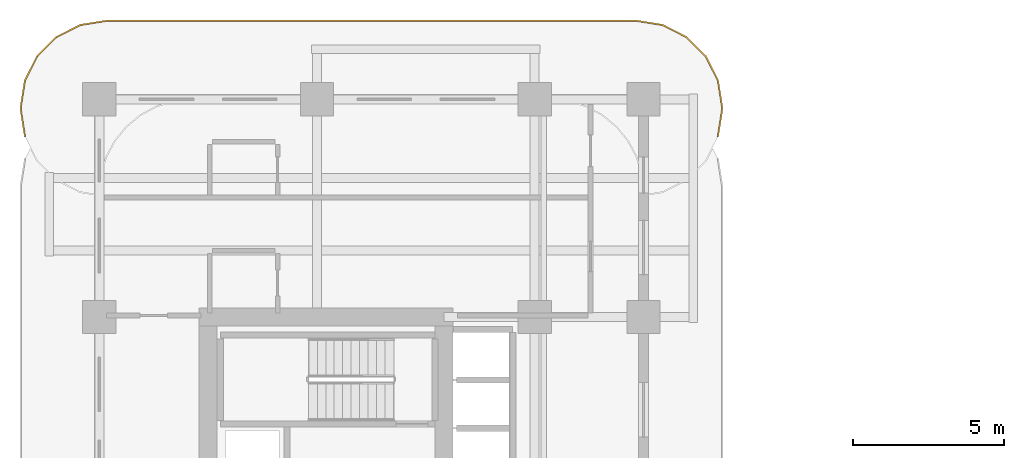
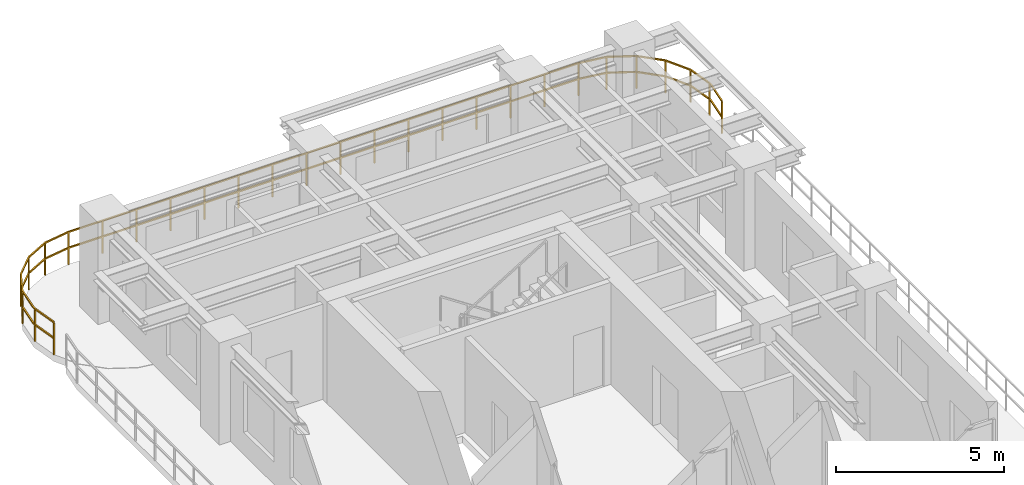
# One storey, part 19 of 19: 1 railing.
"""IFC4 building model written with IfcOpenShell, lengths in metres."""

import ifcopenshell
import ifcopenshell.guid

model = None  # the IFC model being written
_history = None  # IfcOwnerHistory: only IFC2X3 demands one
_inside = {}  # id of a spatial element -> (the spatial element, [elements in it])
_under = {}  # id of a project, library or spatial element -> (it, [spatial elements below it])
_declared = {}  # id of a project -> (the project, [libraries it declares])
_typed = {}  # id of a type object -> (the type object, [elements of that type])
_made_of = {}  # id of a material, layer set ... -> (it, [elements and type objects made of it])


def new_model(schema):
    """Start an empty IFC model of exactly this schema.

    Asked for "IFC4X3", IfcOpenShell would pick the latest addendum, in which some entities
    have other attributes; the version numbers below select the first issue.
    IFC2X3 requires an IfcOwnerHistory on every rooted entity: one is made here for all.
    """
    global model, _history
    if schema == "IFC4X3":
        model = ifcopenshell.file(schema_version=(4, 3, 0, 0))
    else:
        model = ifcopenshell.file(schema=schema)
    _inside.clear()
    _under.clear()
    _declared.clear()
    _typed.clear()
    _made_of.clear()
    _history = None
    if model.schema == "IFC2X3":
        org = make("IfcOrganization", Name="unknown")
        user = make(
            "IfcPersonAndOrganization",
            ThePerson=make("IfcPerson", FamilyName="unknown"),
            TheOrganization=org,
        )
        app = make(
            "IfcApplication",
            ApplicationDeveloper=org,
            Version="unknown",
            ApplicationFullName="unknown",
            ApplicationIdentifier="unknown",
        )
        _history = make(
            "IfcOwnerHistory",
            OwningUser=user,
            OwningApplication=app,
            ChangeAction="ADDED",
            CreationDate=0,
        )
    return model


def make(cls, **values):
    """One entity of the class cls with the attributes given. An attribute that is None is left unset."""
    return model.create_entity(
        cls, **{name: value for name, value in values.items() if value is not None}
    )


def rooted(cls, **values):
    """An entity with a GlobalId (a new one), such as an element, a storey or a relation."""
    return make(cls, GlobalId=ifcopenshell.guid.new(), OwnerHistory=_history, **values)


def si_unit(unit_type, name, prefix=None):
    """IfcSIUnit, for example si_unit("LENGTHUNIT", "METRE", prefix="MILLI")."""
    return make("IfcSIUnit", UnitType=unit_type, Prefix=prefix, Name=name)


def derived_unit(unit_type, elements):
    """IfcDerivedUnit: a product of units, each with its exponent."""
    return make(
        "IfcDerivedUnit",
        Elements=[
            make("IfcDerivedUnitElement", Unit=unit, Exponent=power)
            for unit, power in elements
        ],
        UnitType=unit_type,
    )


def assignment(units):
    """IfcUnitAssignment: the units of a project."""
    return None if units is None else make("IfcUnitAssignment", Units=units)


def point(xyz):
    """IfcCartesianPoint."""
    return None if xyz is None else make("IfcCartesianPoint", Coordinates=xyz)


def direction(xyz):
    """IfcDirection."""
    return None if xyz is None else make("IfcDirection", DirectionRatios=xyz)


def frame(location, z_axis=None, x_axis=None):
    """IfcAxis2Placement3D, a coordinate frame: its origin and axes. An axis left out is left unset."""
    return make(
        "IfcAxis2Placement3D",
        Location=point(location),
        Axis=direction(z_axis),
        RefDirection=direction(x_axis),
    )


def frame_2d(location, x_axis=None):
    """IfcAxis2Placement2D, a coordinate frame in the plane: its origin and x axis."""
    return make(
        "IfcAxis2Placement2D", Location=point(location), RefDirection=direction(x_axis)
    )


def origin():
    """The frame at (0, 0, 0) with its axes left unset."""
    return frame((0.0, 0.0, 0.0))


def origin_2d():
    """The frame at (0, 0) in the plane with its x axis left unset."""
    return frame_2d((0.0, 0.0))


def place(relative_to, where):
    """IfcLocalPlacement: puts the frame where relative to a parent placement (None: the world)."""
    return make(
        "IfcLocalPlacement", PlacementRelTo=relative_to, RelativePlacement=where
    )


def context(
    kind, dimensions, precision=None, world=None, true_north=None, identifier=None
):
    """IfcGeometricRepresentationContext, for example the 3D "Model" context."""
    return make(
        "IfcGeometricRepresentationContext",
        ContextIdentifier=identifier,
        ContextType=kind,
        CoordinateSpaceDimension=dimensions,
        Precision=precision,
        WorldCoordinateSystem=world,
        TrueNorth=true_north,
    )


def subcontext(parent, identifier, kind, view, scale=None):
    """IfcGeometricRepresentationSubContext, for example "Body" below "Model"."""
    return make(
        "IfcGeometricRepresentationSubContext",
        ContextIdentifier=identifier,
        ContextType=kind,
        ParentContext=parent,
        TargetScale=scale,
        TargetView=view,
    )


def project(units=None, contexts=None):
    """IfcProject with its units and contexts."""
    return rooted(
        "IfcProject",
        Name="project",
        RepresentationContexts=contexts,
        UnitsInContext=assignment(units),
    )


def spatial(cls, under=None, at=None, **own):
    """A site, building, storey or space (cls), placed at a placement, below another one or the project."""
    s = rooted(cls, ObjectPlacement=at, **own)
    if under is not None:
        _under.setdefault(under.id(), (under, []))[1].append(s)
    return s


def profile(cls, at=None, kind="AREA", **sizes):
    """A parametric profile (cls). Its sizes go by their IFC names, for example OverallWidth=200.0."""
    return make(cls, ProfileType=kind, Position=at, **sizes)


def rectangle(**sizes):
    """IfcRectangleProfileDef."""
    return profile("IfcRectangleProfileDef", **sizes)


def extrude(swept, where, along, depth):
    """IfcExtrudedAreaSolid: the profile swept, set in the frame where, extruded along a direction by depth."""
    return make(
        "IfcExtrudedAreaSolid",
        SweptArea=swept,
        Position=where,
        ExtrudedDirection=direction(along),
        Depth=depth,
    )


def shape(context_of_items, identifier, shape_type, items):
    """IfcShapeRepresentation: the items that make up one representation, for example the "Body"."""
    return make(
        "IfcShapeRepresentation",
        ContextOfItems=context_of_items,
        RepresentationIdentifier=identifier,
        RepresentationType=shape_type,
        Items=items,
    )


def material(Name=None, Category=None):
    """IfcMaterial."""
    return make("IfcMaterial", Name=Name, Category=Category)


def made_of(thing, what):
    """Note that an element or type object is made of a material, layer set ...; save() writes the relation."""
    if what is not None:
        _made_of.setdefault(what.id(), (what, []))[1].append(thing)
    return thing


def type_object(cls, material=None, **own):
    """A type object (cls), such as IfcWallType, which elements share."""
    return made_of(rooted(cls, **own), material)


def element(
    cls,
    number,
    at=None,
    inside=None,
    cuts=None,
    type_object=None,
    material=None,
    context=None,
    identifier="Body",
    shape_type=None,
    held_by="IfcProductDefinitionShape",
    body=None,
    shapes=None,
    **own,
):
    """One element of the class cls, such as IfcWall. Its Tag is "e" and its number.

    at: its placement. inside: the storey or other place that contains it. cuts: it is an
    opening in that element (IfcRelVoidsElement). A single representation is given by context,
    identifier, shape_type and body (its items); several are given by shapes. held_by: the class
    of the entity that holds the representations. save() writes the other relations.
    """
    e = rooted(cls, Tag="e%d" % number, ObjectPlacement=at, **own)
    if body is not None:
        shapes = [shape(context, identifier, shape_type, body)]
    if shapes is not None:
        e.Representation = make(held_by, Representations=shapes)
    if inside is not None:
        _inside.setdefault(inside.id(), (inside, []))[1].append(e)
    if cuts is not None:
        rooted(
            "IfcRelVoidsElement", RelatingBuildingElement=cuts, RelatedOpeningElement=e
        )
    if type_object is not None:
        _typed.setdefault(type_object.id(), (type_object, []))[1].append(e)
    return made_of(e, material)


def aggregate(whole, parts):
    """IfcRelAggregates: a whole, such as a stair, and the parts it consists of."""
    return rooted("IfcRelAggregates", RelatingObject=whole, RelatedObjects=parts)


def save(model, path):
    """Write the relations noted so far, then the file.

    IfcRelAggregates (storeys below a building ...), IfcRelContainedInSpatialStructure (elements
    in a storey), IfcRelDefinesByType, IfcRelAssociatesMaterial and IfcRelDeclares: one each for
    every whole, place, type object, material and project.
    """
    for whole, parts in _under.values():
        aggregate(whole, parts)
    for where, things in _inside.values():
        rooted(
            "IfcRelContainedInSpatialStructure",
            RelatedElements=things,
            RelatingStructure=where,
        )
    for kind, things in _typed.values():
        rooted("IfcRelDefinesByType", RelatedObjects=things, RelatingType=kind)
    for what, things in _made_of.values():
        rooted("IfcRelAssociatesMaterial", RelatedObjects=things, RelatingMaterial=what)
    for by, libraries in _declared.values():
        rooted("IfcRelDeclares", RelatingContext=by, RelatedDefinitions=libraries)
    model.write(path)


model = new_model("IFC4")

# Units and contexts
model_context = context("Model", 3, precision=1e-05, world=origin(), true_north=direction((0.0, 1.0)))
body_context = subcontext(model_context, "Body", "Model", "MODEL_VIEW")
ifc_project = project(units=[si_unit("LENGTHUNIT", "METRE"), si_unit("AREAUNIT", "SQUARE_METRE"), si_unit("VOLUMEUNIT", "CUBIC_METRE"), si_unit("PLANEANGLEUNIT", "RADIAN"), si_unit("MASSUNIT", "GRAM", prefix="KILO"), si_unit("THERMODYNAMICTEMPERATUREUNIT", "KELVIN"), si_unit("POWERUNIT", "WATT"), derived_unit("THERMALTRANSMITTANCEUNIT", [(si_unit("POWERUNIT", "WATT"), 1), (si_unit("AREAUNIT", "SQUARE_METRE"), -1), (si_unit("THERMODYNAMICTEMPERATUREUNIT", "KELVIN"), -1)])], contexts=[model_context])

# Site, building, storey
site_placement = place(None, origin())
site = spatial("IfcSite", under=ifc_project, at=site_placement, CompositionType="ELEMENT")
building_placement = place(site_placement, origin())
building = spatial("IfcBuilding", under=site, at=building_placement, Name="Zahravan Archway Hotel and Residences", CompositionType="ELEMENT")
storey_placement = place(building_placement, frame((0.0, 0.0, 54.60009765625)))
storey = spatial("IfcBuildingStorey", under=building, at=storey_placement, Name="L12", CompositionType="ELEMENT", Elevation=54.60009765625)

# Railing
ifc_material = material(Name="Bronze & Laminated Glass Balustrade", Category="glass")
railing_type = type_object("IfcRailingType", Name="RL-BAL-1200", PredefinedType="BALUSTRADE", material=ifc_material)
railing_placement = place(storey_placement, frame((-2.46044921875, 45.5693359375, 0.0)))
element("IfcRailing", 1, at=railing_placement, inside=storey, type_object=railing_type, Name="L12 Balustrade RL-SLB-BAL-L12-NB-1", PredefinedType="BALUSTRADE", context=body_context, shape_type="SweptSolid", body=[
    extrude(rectangle(XDim=0.048095703125, YDim=0.048095703125, at=origin_2d()), frame((0.0, 0.0, 1.17578125), z_axis=(-0.156623399917, 0.987658397726, 0.0), x_axis=(-0.987658397726, -0.156623399917, 0.0)), (0.0, 0.0, 1.0), 0.8916015625),
    extrude(rectangle(XDim=0.048095703125, YDim=0.048095703125, at=origin_2d()), frame((0.0, 0.0, 0.60009765625), z_axis=(-0.156623399917, 0.987658397726, 0.0), x_axis=(-0.987658397726, -0.156623399917, 0.0)), (0.0, 0.0, 1.0), 0.8916015625),
    extrude(rectangle(XDim=0.048095703125, YDim=0.048095703125, at=origin_2d()), frame((-0.1396484375, 0.880615234375, 1.17578125), z_axis=(0.0, 1.0, 0.0), x_axis=(-1.0, 0.0, 0.0)), (0.0, 0.0, 1.0), 0.10009765625),
    extrude(rectangle(XDim=0.048095703125, YDim=0.048095703125, at=origin_2d()), frame((-0.1396484375, 0.880615234375, 0.60009765625), z_axis=(0.0, 1.0, 0.0), x_axis=(-1.0, 0.0, 0.0)), (0.0, 0.0, 1.0), 0.10009765625),
    extrude(rectangle(XDim=0.048095703125, YDim=0.048095703125, at=origin_2d()), frame((-0.1396484375, 0.980712890625, 1.17578125), z_axis=(0.156623399917, 0.987658397726, 0.0), x_axis=(-0.987658397726, 0.156623399917, 0.0)), (0.0, 0.0, 1.0), 0.8916015625),
    extrude(rectangle(XDim=0.048095703125, YDim=0.048095703125, at=origin_2d()), frame((-0.1396484375, 0.980712890625, 0.60009765625), z_axis=(0.156623399917, 0.987658397726, 0.0), x_axis=(-0.987658397726, 0.156623399917, 0.0)), (0.0, 0.0, 1.0), 0.8916015625),
    extrude(rectangle(XDim=0.048095703125, YDim=0.048095703125, at=origin_2d()), frame((0.0, 1.861328125, 1.17578125), z_axis=(0.453991409995, 0.891006060389, 0.0), x_axis=(-0.891006060389, 0.453991409995, 0.0)), (0.0, 0.0, 1.0), 0.8916015625),
    extrude(rectangle(XDim=0.048095703125, YDim=0.048095703125, at=origin_2d()), frame((0.0, 1.861328125, 0.60009765625), z_axis=(0.453991409995, 0.891006060389, 0.0), x_axis=(-0.891006060389, 0.453991409995, 0.0)), (0.0, 0.0, 1.0), 0.8916015625),
    extrude(rectangle(XDim=0.048095703125, YDim=0.048095703125, at=origin_2d()), frame((0.40478515625, 2.65576171875, 1.17578125), z_axis=(0.706969864397, 0.70724367147, 0.0), x_axis=(-0.70724367147, 0.706969864397, 0.0)), (0.0, 0.0, 1.0), 0.8916015625),
    extrude(rectangle(XDim=0.048095703125, YDim=0.048095703125, at=origin_2d()), frame((0.40478515625, 2.65576171875, 0.60009765625), z_axis=(0.706969864397, 0.70724367147, 0.0), x_axis=(-0.70724367147, 0.706969864397, 0.0)), (0.0, 0.0, 1.0), 0.8916015625),
    extrude(rectangle(XDim=0.048095703125, YDim=0.048095703125, at=origin_2d()), frame((1.03515625, 3.286376953125, 1.17578125), z_axis=(0.891062476022, 0.45388067135, 0.0), x_axis=(-0.45388067135, 0.891062476022, 0.0)), (0.0, 0.0, 1.0), 0.891845703125),
    extrude(rectangle(XDim=0.048095703125, YDim=0.048095703125, at=origin_2d()), frame((1.03515625, 3.286376953125, 0.60009765625), z_axis=(0.891062476022, 0.45388067135, 0.0), x_axis=(-0.45388067135, 0.891062476022, 0.0)), (0.0, 0.0, 1.0), 0.891845703125),
    extrude(rectangle(XDim=0.048095703125, YDim=0.048095703125, at=origin_2d()), frame((1.829833984375, 3.691162109375, 1.17578125), z_axis=(0.987700720307, 0.156356282588, 0.0), x_axis=(-0.156356282588, 0.987700720307, 0.0)), (0.0, 0.0, 1.0), 0.8916015625),
    extrude(rectangle(XDim=0.048095703125, YDim=0.048095703125, at=origin_2d()), frame((1.829833984375, 3.691162109375, 0.60009765625), z_axis=(0.987700720307, 0.156356282588, 0.0), x_axis=(-0.156356282588, 0.987700720307, 0.0)), (0.0, 0.0, 1.0), 0.8916015625),
    extrude(rectangle(XDim=0.048095703125, YDim=0.048095703125, at=origin_2d()), frame((2.71044921875, 3.83056640625, 1.17578125), z_axis=(1.0, 0.0, 0.0), x_axis=(0.0, 1.0, 0.0)), (0.0, 0.0, 1.0), 17.5),
    extrude(rectangle(XDim=0.048095703125, YDim=0.048095703125, at=origin_2d()), frame((2.71044921875, 3.83056640625, 0.60009765625), z_axis=(1.0, 0.0, 0.0), x_axis=(0.0, 1.0, 0.0)), (0.0, 0.0, 1.0), 17.5),
    extrude(rectangle(XDim=0.048095703125, YDim=0.048095703125, at=origin_2d()), frame((20.21044921875, 3.83056640625, 1.17578125), z_axis=(0.987700720307, -0.156356282588, 0.0), x_axis=(0.156356282588, 0.987700720307, 0.0)), (0.0, 0.0, 1.0), 0.8916015625),
    extrude(rectangle(XDim=0.048095703125, YDim=0.048095703125, at=origin_2d()), frame((20.21044921875, 3.83056640625, 0.60009765625), z_axis=(0.987700720307, -0.156356282588, 0.0), x_axis=(0.156356282588, 0.987700720307, 0.0)), (0.0, 0.0, 1.0), 0.8916015625),
    extrude(rectangle(XDim=0.048095703125, YDim=0.048095703125, at=origin_2d()), frame((21.091064453125, 3.691162109375, 1.17578125), z_axis=(0.891062476022, -0.45388067135, 0.0), x_axis=(0.45388067135, 0.891062476022, 0.0)), (0.0, 0.0, 1.0), 0.891845703125),
    extrude(rectangle(XDim=0.048095703125, YDim=0.048095703125, at=origin_2d()), frame((21.091064453125, 3.691162109375, 0.60009765625), z_axis=(0.891062476022, -0.45388067135, 0.0), x_axis=(0.45388067135, 0.891062476022, 0.0)), (0.0, 0.0, 1.0), 0.891845703125),
    extrude(rectangle(XDim=0.048095703125, YDim=0.048095703125, at=origin_2d()), frame((21.8857421875, 3.286376953125, 1.17578125), z_axis=(0.706969864397, -0.70724367147, 0.0), x_axis=(0.70724367147, 0.706969864397, 0.0)), (0.0, 0.0, 1.0), 0.8916015625),
    extrude(rectangle(XDim=0.048095703125, YDim=0.048095703125, at=origin_2d()), frame((21.8857421875, 3.286376953125, 0.60009765625), z_axis=(0.706969864397, -0.70724367147, 0.0), x_axis=(0.70724367147, 0.706969864397, 0.0)), (0.0, 0.0, 1.0), 0.8916015625),
    extrude(rectangle(XDim=0.048095703125, YDim=0.048095703125, at=origin_2d()), frame((22.51611328125, 2.65576171875, 1.17578125), z_axis=(0.453991409995, -0.891006060389, 0.0), x_axis=(0.891006060389, 0.453991409995, 0.0)), (0.0, 0.0, 1.0), 0.8916015625),
    extrude(rectangle(XDim=0.048095703125, YDim=0.048095703125, at=origin_2d()), frame((22.51611328125, 2.65576171875, 0.60009765625), z_axis=(0.453991409995, -0.891006060389, 0.0), x_axis=(0.891006060389, 0.453991409995, 0.0)), (0.0, 0.0, 1.0), 0.8916015625),
    extrude(rectangle(XDim=0.048095703125, YDim=0.048095703125, at=origin_2d()), frame((22.9208984375, 1.861328125, 1.17578125), z_axis=(0.156623399917, -0.987658397726, 0.0), x_axis=(0.987658397726, 0.156623399917, 0.0)), (0.0, 0.0, 1.0), 0.8916015625),
    extrude(rectangle(XDim=0.048095703125, YDim=0.048095703125, at=origin_2d()), frame((22.9208984375, 1.861328125, 0.60009765625), z_axis=(0.156623399917, -0.987658397726, 0.0), x_axis=(0.987658397726, 0.156623399917, 0.0)), (0.0, 0.0, 1.0), 0.8916015625),
    extrude(rectangle(XDim=0.048095703125, YDim=0.048095703125, at=origin_2d()), frame((23.060546875, 0.980712890625, 1.17578125), z_axis=(0.0, -1.0, 0.0), x_axis=(1.0, 0.0, 0.0)), (0.0, 0.0, 1.0), 0.10009765625),
    extrude(rectangle(XDim=0.048095703125, YDim=0.048095703125, at=origin_2d()), frame((23.060546875, 0.980712890625, 0.60009765625), z_axis=(0.0, -1.0, 0.0), x_axis=(1.0, 0.0, 0.0)), (0.0, 0.0, 1.0), 0.10009765625),
    extrude(rectangle(XDim=0.048095703125, YDim=0.048095703125, at=origin_2d()), frame((23.060546875, 0.880615234375, 1.17578125), z_axis=(-0.156623399917, -0.987658397726, 0.0), x_axis=(0.987658397726, -0.156623399917, 0.0)), (0.0, 0.0, 1.0), 0.8916015625),
    extrude(rectangle(XDim=0.048095703125, YDim=0.048095703125, at=origin_2d()), frame((23.060546875, 0.880615234375, 0.60009765625), z_axis=(-0.156623399917, -0.987658397726, 0.0), x_axis=(0.987658397726, -0.156623399917, 0.0)), (0.0, 0.0, 1.0), 0.8916015625),
    extrude(rectangle(XDim=0.0419921875, YDim=0.0419921875, at=origin_2d()), origin(), (0.0, 0.0, 1.0), 1.15185546875),
    extrude(rectangle(XDim=0.0419921875, YDim=0.0419921875, at=origin_2d()), frame((-0.1396484375, 0.880615234375, 0.0)), (0.0, 0.0, 1.0), 1.15185546875),
    extrude(rectangle(XDim=0.0419921875, YDim=0.0419921875, at=origin_2d()), frame((0.0, 1.861328125, 0.0)), (0.0, 0.0, 1.0), 1.15185546875),
    extrude(rectangle(XDim=0.0419921875, YDim=0.0419921875, at=origin_2d()), frame((0.40478515625, 2.65576171875, 0.0)), (0.0, 0.0, 1.0), 1.15185546875),
    extrude(rectangle(XDim=0.0419921875, YDim=0.0419921875, at=origin_2d()), frame((1.03515625, 3.286376953125, 0.0)), (0.0, 0.0, 1.0), 1.15185546875),
    extrude(rectangle(XDim=0.0419921875, YDim=0.0419921875, at=origin_2d()), frame((1.829833984375, 3.691162109375, 0.0)), (0.0, 0.0, 1.0), 1.15185546875),
    extrude(rectangle(XDim=0.0419921875, YDim=0.0419921875, at=origin_2d()), frame((2.71044921875, 3.83056640625, 0.0)), (0.0, 0.0, 1.0), 1.15185546875),
    extrude(rectangle(XDim=0.0419921875, YDim=0.0419921875, at=origin_2d()), frame((3.877197265625, 3.83056640625, 0.0)), (0.0, 0.0, 1.0), 1.15185546875),
    extrude(rectangle(XDim=0.0419921875, YDim=0.0419921875, at=origin_2d()), frame((5.043701171875, 3.83056640625, 0.0)), (0.0, 0.0, 1.0), 1.15185546875),
    extrude(rectangle(XDim=0.0419921875, YDim=0.0419921875, at=origin_2d()), frame((6.21044921875, 3.83056640625, 0.0)), (0.0, 0.0, 1.0), 1.15185546875),
    extrude(rectangle(XDim=0.0419921875, YDim=0.0419921875, at=origin_2d()), frame((7.377197265625, 3.83056640625, 0.0)), (0.0, 0.0, 1.0), 1.15185546875),
    extrude(rectangle(XDim=0.0419921875, YDim=0.0419921875, at=origin_2d()), frame((8.543701171875, 3.83056640625, 0.0)), (0.0, 0.0, 1.0), 1.15185546875),
    extrude(rectangle(XDim=0.0419921875, YDim=0.0419921875, at=origin_2d()), frame((9.71044921875, 3.83056640625, 0.0)), (0.0, 0.0, 1.0), 1.15185546875),
    extrude(rectangle(XDim=0.0419921875, YDim=0.0419921875, at=origin_2d()), frame((10.877197265625, 3.83056640625, 0.0)), (0.0, 0.0, 1.0), 1.15185546875),
    extrude(rectangle(XDim=0.0419921875, YDim=0.0419921875, at=origin_2d()), frame((12.043701171875, 3.83056640625, 0.0)), (0.0, 0.0, 1.0), 1.15185546875),
    extrude(rectangle(XDim=0.0419921875, YDim=0.0419921875, at=origin_2d()), frame((13.21044921875, 3.83056640625, 0.0)), (0.0, 0.0, 1.0), 1.15185546875),
    extrude(rectangle(XDim=0.0419921875, YDim=0.0419921875, at=origin_2d()), frame((14.377197265625, 3.83056640625, 0.0)), (0.0, 0.0, 1.0), 1.15185546875),
    extrude(rectangle(XDim=0.0419921875, YDim=0.0419921875, at=origin_2d()), frame((15.543701171875, 3.83056640625, 0.0)), (0.0, 0.0, 1.0), 1.15185546875),
    extrude(rectangle(XDim=0.0419921875, YDim=0.0419921875, at=origin_2d()), frame((16.71044921875, 3.83056640625, 0.0)), (0.0, 0.0, 1.0), 1.15185546875),
    extrude(rectangle(XDim=0.0419921875, YDim=0.0419921875, at=origin_2d()), frame((17.877197265625, 3.83056640625, 0.0)), (0.0, 0.0, 1.0), 1.15185546875),
    extrude(rectangle(XDim=0.0419921875, YDim=0.0419921875, at=origin_2d()), frame((19.043701171875, 3.83056640625, 0.0)), (0.0, 0.0, 1.0), 1.15185546875),
    extrude(rectangle(XDim=0.0419921875, YDim=0.0419921875, at=origin_2d()), frame((20.21044921875, 3.83056640625, 0.0)), (0.0, 0.0, 1.0), 1.15185546875),
    extrude(rectangle(XDim=0.0419921875, YDim=0.0419921875, at=origin_2d()), frame((21.091064453125, 3.691162109375, 0.0)), (0.0, 0.0, 1.0), 1.15185546875),
    extrude(rectangle(XDim=0.0419921875, YDim=0.0419921875, at=origin_2d()), frame((21.8857421875, 3.286376953125, 0.0)), (0.0, 0.0, 1.0), 1.15185546875),
    extrude(rectangle(XDim=0.0419921875, YDim=0.0419921875, at=origin_2d()), frame((22.51611328125, 2.65576171875, 0.0)), (0.0, 0.0, 1.0), 1.15185546875),
    extrude(rectangle(XDim=0.0419921875, YDim=0.0419921875, at=origin_2d()), frame((22.9208984375, 1.861328125, 0.0)), (0.0, 0.0, 1.0), 1.15185546875),
    extrude(rectangle(XDim=0.0419921875, YDim=0.0419921875, at=origin_2d()), frame((23.060546875, 0.980712890625, 0.0)), (0.0, 0.0, 1.0), 1.15185546875),
    extrude(rectangle(XDim=0.0419921875, YDim=0.0419921875, at=origin_2d()), frame((22.9208984375, 0.0, 0.0)), (0.0, 0.0, 1.0), 1.15185546875),
])

save(model, "model.ifc")
